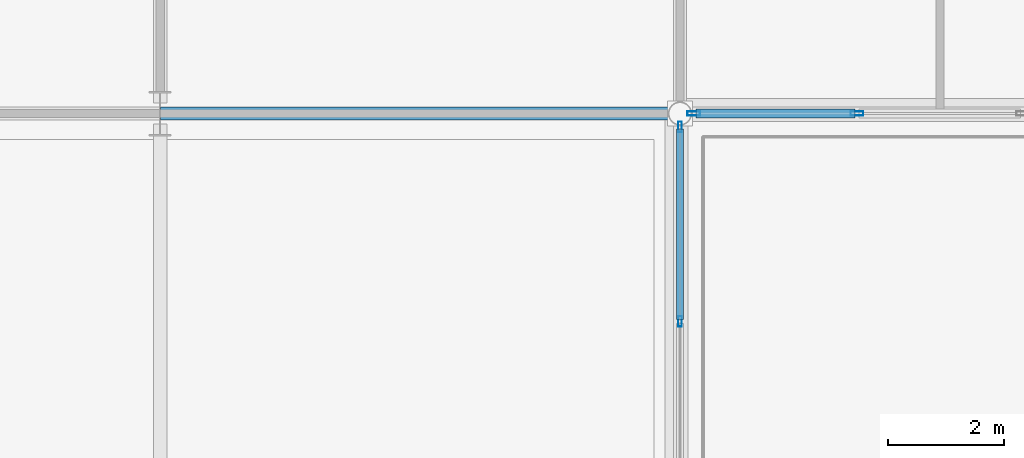
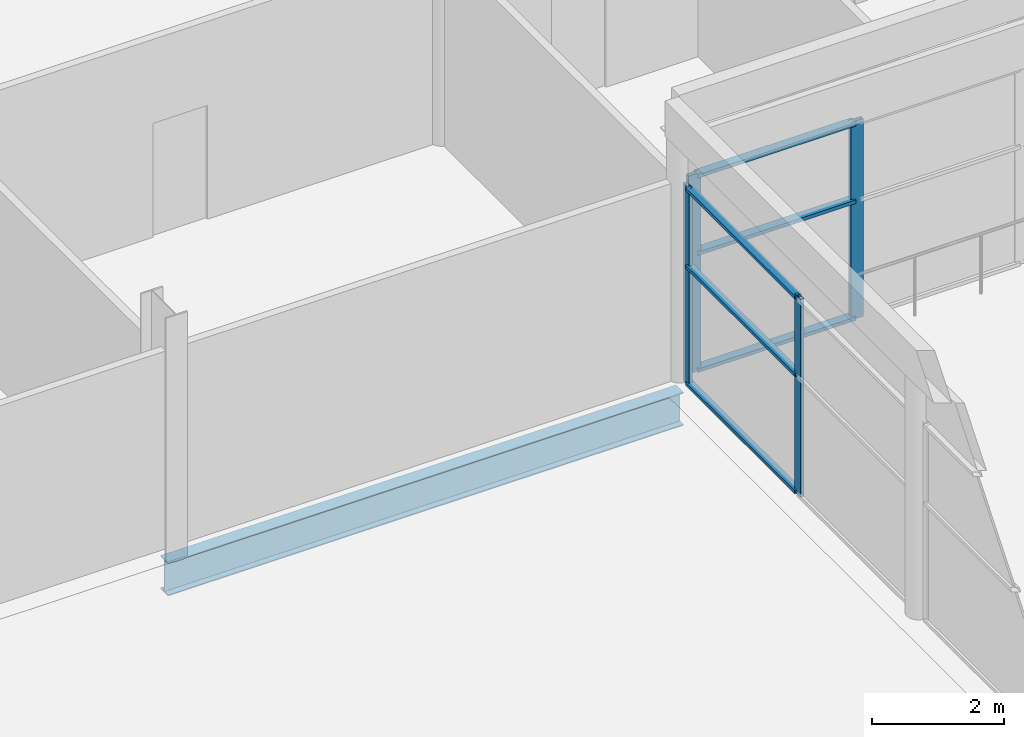
# One storey, part 16 of 52: 10 members, 1 beam, 2 elements without a shape of their own.
"""IFC4 building model written with IfcOpenShell, lengths in metres."""

from ifc_helpers import new_model, si_unit, direction, frame, origin, origin_2d, place, context, subcontext, project, spatial, hollow_rectangle, i_section, extrude, material, layer, layer_set, material_profile, profile_set, type_object, element, aggregate, save


model = new_model("IFC4")

# Units and contexts
model_context = context("Model", 3, precision=1e-05, world=origin(), true_north=direction((0.0, 1.0)))
body_context = subcontext(model_context, "Body", "Model", "MODEL_VIEW")
ifc_project = project(units=[si_unit("LENGTHUNIT", "METRE"), si_unit("AREAUNIT", "SQUARE_METRE"), si_unit("VOLUMEUNIT", "CUBIC_METRE"), si_unit("PLANEANGLEUNIT", "RADIAN"), si_unit("MASSUNIT", "GRAM", prefix="KILO")], contexts=[model_context])

# Site, building, storey
site_placement = place(None, origin())
site = spatial("IfcSite", under=ifc_project, at=site_placement, CompositionType="ELEMENT")
building_placement = place(site_placement, origin())
building = spatial("IfcBuilding", under=site, at=building_placement, Name="Celestram Park Convention Centre", CompositionType="ELEMENT")
storey_placement = place(building_placement, frame((0.0, 0.0, 24.300048828125)))
storey = spatial("IfcBuildingStorey", under=building, at=storey_placement, Name="L05", CompositionType="ELEMENT", Elevation=24.300048828125)

# Curtain wall, members
ifc_material_1 = material(Name="Anodised Aluminium Alloy 6063-T6", Category="aluminium")
ifc_layer_1 = layer(ifc_material_1, 0.179931640625)
ifc_layer_set_1 = layer_set([ifc_layer_1], Name="Anodised Aluminium Alloy 6063-T6")
curtain_wall_type_1 = type_object("IfcCurtainWallType", Name="ARC-CW-680X365", PredefinedType="NOTDEFINED", material=ifc_layer_set_1)
curtain_wall_1_placement = place(storey_placement, origin())
curtain_wall_1 = element("IfcCurtainWall", 1, at=curtain_wall_1_placement, inside=storey, type_object=curtain_wall_type_1, Name="Unitised curtain wall CU-L05-257", PredefinedType="NOTDEFINED")
ifc_material_profile_1 = material_profile(ifc_material_1, hollow_rectangle(XDim=0.06494140625, YDim=0.179931640625, WallThickness=0.00390625, at=origin_2d()), Name="ALU65X180X4")
ifc_profile_set_1 = profile_set([ifc_material_profile_1], Name="Anodised Aluminium Alloy 6063-T6")
member_type_1 = type_object("IfcMemberType", Name="ARC-CWM-150", PredefinedType="MULLION", material=ifc_profile_set_1)
member_1_placement = place(storey_placement, frame((72.0, 129.368408203125, 0.0), z_axis=(0.0, 0.0, 1.0), x_axis=(1.0, 0.0, 0.0)))
member_1 = element("IfcMember", 2, at=member_1_placement, type_object=member_type_1, Name="CW-68X36 mullion 1", PredefinedType="MULLION", context=body_context, shape_type="SweptSolid", body=[
    extrude(hollow_rectangle(XDim=0.06494140625, YDim=0.179931640625, WallThickness=0.00390625, at=origin_2d()), origin(), (0.0, 0.0, 1.0), 3.64794921875),
])
member_2_placement = place(storey_placement, frame((72.0, 126.0, 0.0), z_axis=(0.0, 0.0, 1.0), x_axis=(1.0, 0.0, 0.0)))
member_2 = element("IfcMember", 3, at=member_2_placement, type_object=member_type_1, Name="CW-68X36 mullion 2", PredefinedType="MULLION", context=body_context, shape_type="SweptSolid", body=[
    extrude(hollow_rectangle(XDim=0.06494140625, YDim=0.179931640625, WallThickness=0.00390625, at=origin_2d()), origin(), (0.0, 0.0, 1.0), 3.64794921875),
])

ifc_layer_2 = layer(ifc_material_1, 0.179931640625)
ifc_layer_set_2 = layer_set([ifc_layer_2], Name="Anodised Aluminium Alloy 6063-T6")
curtain_wall_type_2 = type_object("IfcCurtainWallType", Name="ARC-CW-860X365", PredefinedType="NOTDEFINED", material=ifc_layer_set_2)
curtain_wall_2_placement = place(storey_placement, origin())
curtain_wall_2 = element("IfcCurtainWall", 4, at=curtain_wall_2_placement, inside=storey, type_object=curtain_wall_type_2, Name="Unitised curtain wall CU-L05-256", PredefinedType="NOTDEFINED")
ifc_material_profile_2 = material_profile(ifc_material_1, hollow_rectangle(XDim=0.074951171875, YDim=0.219970703125, WallThickness=0.00390625, at=origin_2d()), Name="ALU75X220X4")
ifc_profile_set_2 = profile_set([ifc_material_profile_2], Name="Anodised Aluminium Alloy 6063-T6")
member_type_2 = type_object("IfcMemberType", Name="ARC-CWM-180", PredefinedType="MULLION", material=ifc_profile_set_2)
member_3_placement = place(storey_placement, frame((75.06640625, 129.60009765625, 0.0), z_axis=(0.0, 0.0, 1.0), x_axis=(0.0, -1.0, 0.0)))
member_3 = element("IfcMember", 5, at=member_3_placement, type_object=member_type_2, Name="CW-86X36 mullion 3", PredefinedType="MULLION", context=body_context, shape_type="SweptSolid", body=[
    extrude(hollow_rectangle(XDim=0.074951171875, YDim=0.219970703125, WallThickness=0.00390625, at=origin_2d()), origin(), (0.0, 0.0, 1.0), 3.64794921875),
])
member_4_placement = place(storey_placement, frame((72.236572265625, 129.60009765625, 0.0), z_axis=(0.0, 0.0, 1.0), x_axis=(0.0, -1.0, 0.0)))
member_4 = element("IfcMember", 6, at=member_4_placement, type_object=member_type_2, Name="CW-86X36 mullion 4", PredefinedType="MULLION", context=body_context, shape_type="SweptSolid", body=[
    extrude(hollow_rectangle(XDim=0.074951171875, YDim=0.219970703125, WallThickness=0.00390625, at=origin_2d()), origin(), (0.0, 0.0, 1.0), 3.64794921875),
])

# Member
ifc_material_profile_3 = material_profile(ifc_material_1, hollow_rectangle(XDim=0.1201171875, YDim=0.06005859375, WallThickness=0.0029296875, at=origin_2d()), Name="ALU120X60X3")
ifc_profile_set_3 = profile_set([ifc_material_profile_3], Name="Anodised Aluminium Alloy 6063-T6")
member_type_3 = type_object("IfcMemberType", Name="ARC-CWT-120", PredefinedType="USERDEFINED", material=ifc_profile_set_3)
member_5_placement = place(storey_placement, frame((72.0, 129.3359375, 0.030029296875), z_axis=(0.0, -1.0, 0.0), x_axis=(1.0, 0.0, 0.0)))
member_5 = element("IfcMember", 7, at=member_5_placement, type_object=member_type_3, Name="CW-68X36 transom 1.1", ObjectType="TRANSOM", PredefinedType="USERDEFINED", context=body_context, shape_type="SweptSolid", body=[
    extrude(hollow_rectangle(XDim=0.1201171875, YDim=0.06005859375, WallThickness=0.0029296875, at=origin_2d()), origin(), (0.0, 0.0, 1.0), 3.303466796875),
])

member_6_placement = place(storey_placement, frame((72.0, 129.3359375, 2.18896484375), z_axis=(0.0, -1.0, 0.0), x_axis=(1.0, 0.0, 0.0)))
member_6 = element("IfcMember", 8, at=member_6_placement, type_object=member_type_3, Name="CW-68X36 transom 1.2", ObjectType="TRANSOM", PredefinedType="USERDEFINED", context=body_context, shape_type="SweptSolid", body=[
    extrude(hollow_rectangle(XDim=0.1201171875, YDim=0.06005859375, WallThickness=0.0029296875, at=origin_2d()), origin(), (0.0, 0.0, 1.0), 3.303466796875),
])

member_7_placement = place(storey_placement, frame((72.0, 129.3359375, 3.617919921875), z_axis=(0.0, -1.0, 0.0), x_axis=(1.0, 0.0, 0.0)))
member_7 = element("IfcMember", 9, at=member_7_placement, type_object=member_type_3, Name="CW-68X36 transom 1.3", ObjectType="TRANSOM", PredefinedType="USERDEFINED", context=body_context, shape_type="SweptSolid", body=[
    extrude(hollow_rectangle(XDim=0.1201171875, YDim=0.06005859375, WallThickness=0.0029296875, at=origin_2d()), origin(), (0.0, 0.0, 1.0), 3.303466796875),
])

aggregate(curtain_wall_1, [member_1, member_2, member_5, member_6, member_7])

ifc_material_profile_4 = material_profile(ifc_material_1, hollow_rectangle(XDim=0.14990234375, YDim=0.06494140625, WallThickness=0.0029296875, at=origin_2d()), Name="ALU150X65X3")
ifc_profile_set_4 = profile_set([ifc_material_profile_4], Name="Anodised Aluminium Alloy 6063-T6")
member_type_4 = type_object("IfcMemberType", Name="ARC-CWT-150", PredefinedType="USERDEFINED", material=ifc_profile_set_4)
member_8_placement = place(storey_placement, frame((75.02880859375, 129.60009765625, 0.032470703125), z_axis=(-1.0, 0.0, 0.0), x_axis=(0.0, -1.0, 0.0)))
member_8 = element("IfcMember", 10, at=member_8_placement, type_object=member_type_4, Name="CW-86X36 transom 3.1", ObjectType="TRANSOM", PredefinedType="USERDEFINED", context=body_context, shape_type="SweptSolid", body=[
    extrude(hollow_rectangle(XDim=0.14990234375, YDim=0.06494140625, WallThickness=0.0029296875, at=origin_2d()), origin(), (0.0, 0.0, 1.0), 2.7548828125),
])

member_9_placement = place(storey_placement, frame((75.02880859375, 129.60009765625, 2.18896484375), z_axis=(-1.0, 0.0, 0.0), x_axis=(0.0, -1.0, 0.0)))
member_9 = element("IfcMember", 11, at=member_9_placement, type_object=member_type_4, Name="CW-86X36 transom 3.2", ObjectType="TRANSOM", PredefinedType="USERDEFINED", context=body_context, shape_type="SweptSolid", body=[
    extrude(hollow_rectangle(XDim=0.14990234375, YDim=0.06494140625, WallThickness=0.0029296875, at=origin_2d()), origin(), (0.0, 0.0, 1.0), 2.7548828125),
])

member_10_placement = place(storey_placement, frame((75.02880859375, 129.60009765625, 3.615478515625), z_axis=(-1.0, 0.0, 0.0), x_axis=(0.0, -1.0, 0.0)))
member_10 = element("IfcMember", 12, at=member_10_placement, type_object=member_type_4, Name="CW-86X36 transom 3.3", ObjectType="TRANSOM", PredefinedType="USERDEFINED", context=body_context, shape_type="SweptSolid", body=[
    extrude(hollow_rectangle(XDim=0.14990234375, YDim=0.06494140625, WallThickness=0.0029296875, at=origin_2d()), origin(), (0.0, 0.0, 1.0), 2.7548828125),
])

aggregate(curtain_wall_2, [member_3, member_4, member_8, member_9, member_10])

# Beam
ifc_material_2 = material(Name="Steel ASTM A992 Grade 50", Category="steel")
ifc_material_profile_5 = material_profile(ifc_material_2, i_section(OverallWidth=0.22900390625, OverallDepth=0.612060546875, WebThickness=0.011962890625, FlangeThickness=0.01953125, at=origin_2d()), Name="W24X84")
ifc_profile_set_5 = profile_set([ifc_material_profile_5], Name="Steel ASTM A992 Grade 50")
beam_type = type_object("IfcBeamType", Name="STR-BM-W24X84", PredefinedType="BEAM", material=ifc_profile_set_5)
beam_placement = place(storey_placement, frame((63.006103515625, 129.60009765625, -0.546142578125), z_axis=(1.0, 0.0, 0.0), x_axis=(0.0, 1.0, 0.0)))
element("IfcBeam", 13, at=beam_placement, inside=storey, type_object=beam_type, Name="Primary X-girder BG-L05-0048", PredefinedType="BEAM", context=body_context, shape_type="SweptSolid", body=[
    extrude(i_section(OverallWidth=0.22900390625, OverallDepth=0.612060546875, WebThickness=0.011962890625, FlangeThickness=0.01953125, at=origin_2d()), origin(), (0.0, 0.0, 1.0), 8.989013671875),
])

save(model, "model.ifc")
